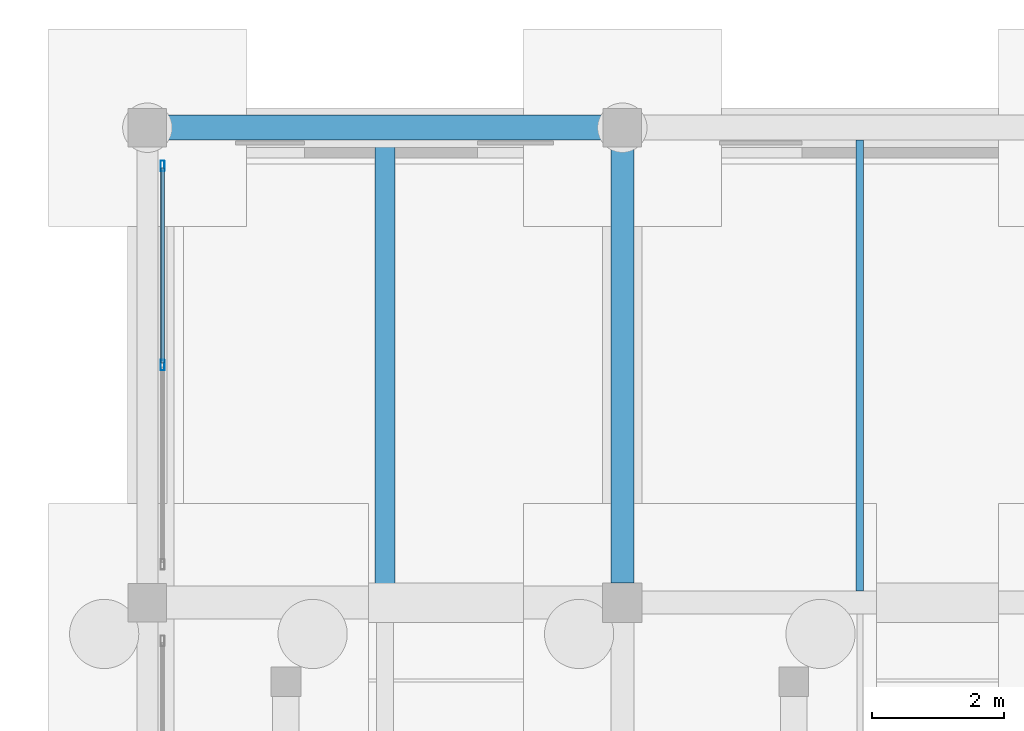
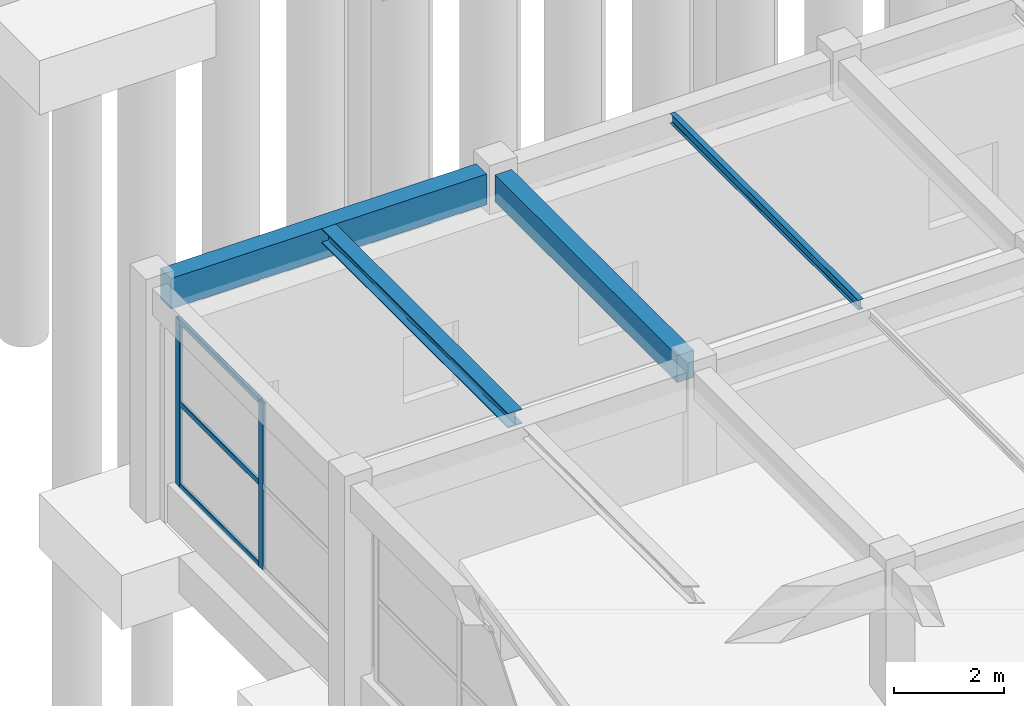
# One storey, part 54 of 91: 5 members, 4 beams, 1 element without a shape of its own.
"""IFC4 building model written with IfcOpenShell, lengths in metres."""

import ifcopenshell
import ifcopenshell.guid

model = None  # the IFC model being written
_history = None  # IfcOwnerHistory: only IFC2X3 demands one
_inside = {}  # id of a spatial element -> (the spatial element, [elements in it])
_under = {}  # id of a project, library or spatial element -> (it, [spatial elements below it])
_declared = {}  # id of a project -> (the project, [libraries it declares])
_typed = {}  # id of a type object -> (the type object, [elements of that type])
_made_of = {}  # id of a material, layer set ... -> (it, [elements and type objects made of it])


def new_model(schema):
    """Start an empty IFC model of exactly this schema.

    Asked for "IFC4X3", IfcOpenShell would pick the latest addendum, in which some entities
    have other attributes; the version numbers below select the first issue.
    IFC2X3 requires an IfcOwnerHistory on every rooted entity: one is made here for all.
    """
    global model, _history
    if schema == "IFC4X3":
        model = ifcopenshell.file(schema_version=(4, 3, 0, 0))
    else:
        model = ifcopenshell.file(schema=schema)
    _inside.clear()
    _under.clear()
    _declared.clear()
    _typed.clear()
    _made_of.clear()
    _history = None
    if model.schema == "IFC2X3":
        org = make("IfcOrganization", Name="unknown")
        user = make(
            "IfcPersonAndOrganization",
            ThePerson=make("IfcPerson", FamilyName="unknown"),
            TheOrganization=org,
        )
        app = make(
            "IfcApplication",
            ApplicationDeveloper=org,
            Version="unknown",
            ApplicationFullName="unknown",
            ApplicationIdentifier="unknown",
        )
        _history = make(
            "IfcOwnerHistory",
            OwningUser=user,
            OwningApplication=app,
            ChangeAction="ADDED",
            CreationDate=0,
        )
    return model


def make(cls, **values):
    """One entity of the class cls with the attributes given. An attribute that is None is left unset."""
    return model.create_entity(
        cls, **{name: value for name, value in values.items() if value is not None}
    )


def rooted(cls, **values):
    """An entity with a GlobalId (a new one), such as an element, a storey or a relation."""
    return make(cls, GlobalId=ifcopenshell.guid.new(), OwnerHistory=_history, **values)


def si_unit(unit_type, name, prefix=None):
    """IfcSIUnit, for example si_unit("LENGTHUNIT", "METRE", prefix="MILLI")."""
    return make("IfcSIUnit", UnitType=unit_type, Prefix=prefix, Name=name)


def assignment(units):
    """IfcUnitAssignment: the units of a project."""
    return None if units is None else make("IfcUnitAssignment", Units=units)


def point(xyz):
    """IfcCartesianPoint."""
    return None if xyz is None else make("IfcCartesianPoint", Coordinates=xyz)


def direction(xyz):
    """IfcDirection."""
    return None if xyz is None else make("IfcDirection", DirectionRatios=xyz)


def frame(location, z_axis=None, x_axis=None):
    """IfcAxis2Placement3D, a coordinate frame: its origin and axes. An axis left out is left unset."""
    return make(
        "IfcAxis2Placement3D",
        Location=point(location),
        Axis=direction(z_axis),
        RefDirection=direction(x_axis),
    )


def frame_2d(location, x_axis=None):
    """IfcAxis2Placement2D, a coordinate frame in the plane: its origin and x axis."""
    return make(
        "IfcAxis2Placement2D", Location=point(location), RefDirection=direction(x_axis)
    )


def origin():
    """The frame at (0, 0, 0) with its axes left unset."""
    return frame((0.0, 0.0, 0.0))


def origin_2d():
    """The frame at (0, 0) in the plane with its x axis left unset."""
    return frame_2d((0.0, 0.0))


def place(relative_to, where):
    """IfcLocalPlacement: puts the frame where relative to a parent placement (None: the world)."""
    return make(
        "IfcLocalPlacement", PlacementRelTo=relative_to, RelativePlacement=where
    )


def context(
    kind, dimensions, precision=None, world=None, true_north=None, identifier=None
):
    """IfcGeometricRepresentationContext, for example the 3D "Model" context."""
    return make(
        "IfcGeometricRepresentationContext",
        ContextIdentifier=identifier,
        ContextType=kind,
        CoordinateSpaceDimension=dimensions,
        Precision=precision,
        WorldCoordinateSystem=world,
        TrueNorth=true_north,
    )


def subcontext(parent, identifier, kind, view, scale=None):
    """IfcGeometricRepresentationSubContext, for example "Body" below "Model"."""
    return make(
        "IfcGeometricRepresentationSubContext",
        ContextIdentifier=identifier,
        ContextType=kind,
        ParentContext=parent,
        TargetScale=scale,
        TargetView=view,
    )


def project(units=None, contexts=None):
    """IfcProject with its units and contexts."""
    return rooted(
        "IfcProject",
        Name="project",
        RepresentationContexts=contexts,
        UnitsInContext=assignment(units),
    )


def spatial(cls, under=None, at=None, **own):
    """A site, building, storey or space (cls), placed at a placement, below another one or the project."""
    s = rooted(cls, ObjectPlacement=at, **own)
    if under is not None:
        _under.setdefault(under.id(), (under, []))[1].append(s)
    return s


def profile(cls, at=None, kind="AREA", **sizes):
    """A parametric profile (cls). Its sizes go by their IFC names, for example OverallWidth=200.0."""
    return make(cls, ProfileType=kind, Position=at, **sizes)


def rectangle(**sizes):
    """IfcRectangleProfileDef."""
    return profile("IfcRectangleProfileDef", **sizes)


def hollow_rectangle(**sizes):
    """IfcRectangleHollowProfileDef."""
    return profile("IfcRectangleHollowProfileDef", **sizes)


def i_section(**sizes):
    """IfcIShapeProfileDef."""
    return profile("IfcIShapeProfileDef", **sizes)


def extrude(swept, where, along, depth):
    """IfcExtrudedAreaSolid: the profile swept, set in the frame where, extruded along a direction by depth."""
    return make(
        "IfcExtrudedAreaSolid",
        SweptArea=swept,
        Position=where,
        ExtrudedDirection=direction(along),
        Depth=depth,
    )


def shape(context_of_items, identifier, shape_type, items):
    """IfcShapeRepresentation: the items that make up one representation, for example the "Body"."""
    return make(
        "IfcShapeRepresentation",
        ContextOfItems=context_of_items,
        RepresentationIdentifier=identifier,
        RepresentationType=shape_type,
        Items=items,
    )


def material(Name=None, Category=None):
    """IfcMaterial."""
    return make("IfcMaterial", Name=Name, Category=Category)


def material_profile(
    of_material, cross_section, Name=None, Category=None, Priority=None
):
    """IfcMaterialProfile: a cross section and its material."""
    return make(
        "IfcMaterialProfile",
        Name=Name,
        Material=of_material,
        Profile=cross_section,
        Priority=Priority,
        Category=Category,
    )


def profile_set(profiles, Name=None, composite=None):
    """IfcMaterialProfileSet."""
    return make(
        "IfcMaterialProfileSet",
        Name=Name,
        MaterialProfiles=profiles,
        CompositeProfile=composite,
    )


def made_of(thing, what):
    """Note that an element or type object is made of a material, layer set ...; save() writes the relation."""
    if what is not None:
        _made_of.setdefault(what.id(), (what, []))[1].append(thing)
    return thing


def type_object(cls, material=None, **own):
    """A type object (cls), such as IfcWallType, which elements share."""
    return made_of(rooted(cls, **own), material)


def element(
    cls,
    number,
    at=None,
    inside=None,
    cuts=None,
    type_object=None,
    material=None,
    context=None,
    identifier="Body",
    shape_type=None,
    held_by="IfcProductDefinitionShape",
    body=None,
    shapes=None,
    **own,
):
    """One element of the class cls, such as IfcWall. Its Tag is "e" and its number.

    at: its placement. inside: the storey or other place that contains it. cuts: it is an
    opening in that element (IfcRelVoidsElement). A single representation is given by context,
    identifier, shape_type and body (its items); several are given by shapes. held_by: the class
    of the entity that holds the representations. save() writes the other relations.
    """
    e = rooted(cls, Tag="e%d" % number, ObjectPlacement=at, **own)
    if body is not None:
        shapes = [shape(context, identifier, shape_type, body)]
    if shapes is not None:
        e.Representation = make(held_by, Representations=shapes)
    if inside is not None:
        _inside.setdefault(inside.id(), (inside, []))[1].append(e)
    if cuts is not None:
        rooted(
            "IfcRelVoidsElement", RelatingBuildingElement=cuts, RelatedOpeningElement=e
        )
    if type_object is not None:
        _typed.setdefault(type_object.id(), (type_object, []))[1].append(e)
    return made_of(e, material)


def aggregate(whole, parts):
    """IfcRelAggregates: a whole, such as a stair, and the parts it consists of."""
    return rooted("IfcRelAggregates", RelatingObject=whole, RelatedObjects=parts)


def save(model, path):
    """Write the relations noted so far, then the file.

    IfcRelAggregates (storeys below a building ...), IfcRelContainedInSpatialStructure (elements
    in a storey), IfcRelDefinesByType, IfcRelAssociatesMaterial and IfcRelDeclares: one each for
    every whole, place, type object, material and project.
    """
    for whole, parts in _under.values():
        aggregate(whole, parts)
    for where, things in _inside.values():
        rooted(
            "IfcRelContainedInSpatialStructure",
            RelatedElements=things,
            RelatingStructure=where,
        )
    for kind, things in _typed.values():
        rooted("IfcRelDefinesByType", RelatedObjects=things, RelatingType=kind)
    for what, things in _made_of.values():
        rooted("IfcRelAssociatesMaterial", RelatedObjects=things, RelatingMaterial=what)
    for by, libraries in _declared.values():
        rooted("IfcRelDeclares", RelatingContext=by, RelatedDefinitions=libraries)
    model.write(path)


model = new_model("IFC4")

# Units and contexts
model_context = context("Model", 3, precision=1e-05, world=origin(), true_north=direction((0.0, 1.0)))
body_context = subcontext(model_context, "Body", "Model", "MODEL_VIEW")
ifc_project = project(units=[si_unit("LENGTHUNIT", "METRE"), si_unit("AREAUNIT", "SQUARE_METRE"), si_unit("VOLUMEUNIT", "CUBIC_METRE"), si_unit("PLANEANGLEUNIT", "RADIAN"), si_unit("MASSUNIT", "GRAM", prefix="KILO")], contexts=[model_context])

# Site, building, storey
site_placement = place(None, origin())
site = spatial("IfcSite", under=ifc_project, at=site_placement, CompositionType="ELEMENT")
building_placement = place(site_placement, origin())
building = spatial("IfcBuilding", under=site, at=building_placement, Name="Bramveld Media Centre", CompositionType="ELEMENT")
storey_placement = place(building_placement, origin())
storey = spatial("IfcBuildingStorey", under=building, at=storey_placement, Name="L00", CompositionType="ELEMENT", Elevation=0.0)

# Beam
ifc_material_1 = material(Name="Concrete C40/50", Category="concrete")
ifc_material_profile_1 = material_profile(ifc_material_1, rectangle(XDim=0.35009765625, YDim=0.60009765625, at=origin_2d()), Name="RC 350x600")
ifc_profile_set_1 = profile_set([ifc_material_profile_1], Name="Concrete C40/50")
beam_type_1 = type_object("IfcBeamType", Name="BM-INT-RC-350x600", PredefinedType="BEAM", material=ifc_profile_set_1)
beam_1_placement = place(storey_placement, frame((138.39990234375, 61.10009765625, 4.860107421875), z_axis=(0.0, 1.0, 0.0), x_axis=(-1.0, 0.0, 0.0)))
element("IfcBeam", 1, at=beam_1_placement, inside=storey, type_object=beam_type_1, Name="V4 L00 girder Y-483", PredefinedType="BEAM", context=body_context, shape_type="SweptSolid", body=[
    extrude(rectangle(XDim=0.35009765625, YDim=0.60009765625, at=origin_2d()), origin(), (0.0, 0.0, 1.0), 6.60986328125),
])

# Curtain wall, members
ifc_material_2 = material(Name="Thermally broken anodized bronze aluminium unitized curtain wall with solar-control triple glazing", Category="aluminium")
curtain_wall_type = type_object("IfcCurtainWallType", Name="CW-FACV4-6100x3690", PredefinedType="NOTDEFINED", material=ifc_material_2)
curtain_wall_placement = place(storey_placement, origin())
curtain_wall = element("IfcCurtainWall", 2, at=curtain_wall_placement, inside=storey, type_object=curtain_wall_type, Name="V4 L00 W curtain wall bay 4", PredefinedType="NOTDEFINED")
ifc_material_3 = material(Name="Thermally broken anodized bronze aluminium EN AW-6063 T6 curtain-wall framing", Category="aluminium")
ifc_material_profile_2 = material_profile(ifc_material_3, hollow_rectangle(XDim=0.06005859375, YDim=0.159912109375, WallThickness=0.00390625, InnerFilletRadius=0.00390625, OuterFilletRadius=0.008056640625, at=origin_2d()), Name="AL-MULL 60x160")
ifc_profile_set_2 = profile_set([ifc_material_profile_2], Name="Thermally broken anodized bronze aluminium EN AW-6063 T6 curtain-wall framing")
member_type_1 = type_object("IfcMemberType", Name="CW-MULL-EXT", PredefinedType="MULLION", material=ifc_profile_set_2)
member_1_placement = place(storey_placement, frame((131.429931640625, 64.39990234375, 0.85009765625), z_axis=(0.0, 0.0, 1.0), x_axis=(-1.0, 0.0, 0.0)))
member_1 = element("IfcMember", 3, at=member_1_placement, type_object=member_type_1, Name="CW-FA-6136 mullion 2", PredefinedType="MULLION", context=body_context, shape_type="SweptSolid", body=[
    extrude(hollow_rectangle(XDim=0.06005859375, YDim=0.159912109375, WallThickness=0.00390625, InnerFilletRadius=0.00390625, OuterFilletRadius=0.008056640625, at=origin_2d()), origin(), (0.0, 0.0, 1.0), 3.68994140625),
])
member_2_placement = place(storey_placement, frame((131.429931640625, 67.419921875, 0.85009765625), z_axis=(0.0, 0.0, 1.0), x_axis=(-1.0, 0.0, 0.0)))
member_2 = element("IfcMember", 4, at=member_2_placement, type_object=member_type_1, Name="CW-FA-6136 mullion 3", PredefinedType="MULLION", context=body_context, shape_type="SweptSolid", body=[
    extrude(hollow_rectangle(XDim=0.06005859375, YDim=0.159912109375, WallThickness=0.00390625, InnerFilletRadius=0.00390625, OuterFilletRadius=0.008056640625, at=origin_2d()), origin(), (0.0, 0.0, 1.0), 3.68994140625),
])
ifc_material_4 = material(Name="Thermally broken anodized bronze aluminium EN AW-6063 T6 curtain-wall framing", Category="aluminium")
ifc_material_profile_3 = material_profile(ifc_material_4, hollow_rectangle(XDim=0.06005859375, YDim=0.1201171875, WallThickness=0.00341796875, InnerFilletRadius=0.00341796875, OuterFilletRadius=0.007080078125, at=origin_2d()), Name="AL-TRAN 60x120")
ifc_profile_set_3 = profile_set([ifc_material_profile_3], Name="Thermally broken anodized bronze aluminium EN AW-6063 T6 curtain-wall framing")
member_type_2 = type_object("IfcMemberType", Name="CW-TRAN-EXT", PredefinedType="USERDEFINED", material=ifc_profile_set_3)
member_3_placement = place(storey_placement, frame((131.429931640625, 64.429931640625, 0.8798828125), z_axis=(0.0, 1.0, 0.0), x_axis=(-1.0, 0.0, 0.0)))
member_3 = element("IfcMember", 5, at=member_3_placement, type_object=member_type_2, Name="CW-FA-6136 transom 2.1", ObjectType="TRANSOM", PredefinedType="USERDEFINED", context=body_context, shape_type="SweptSolid", body=[
    extrude(hollow_rectangle(XDim=0.06005859375, YDim=0.1201171875, WallThickness=0.00341796875, InnerFilletRadius=0.00341796875, OuterFilletRadius=0.007080078125, at=origin_2d()), origin(), (0.0, 0.0, 1.0), 2.9599609375),
])
member_4_placement = place(storey_placement, frame((131.429931640625, 64.429931640625, 2.695068359375), z_axis=(0.0, 1.0, 0.0), x_axis=(-1.0, 0.0, 0.0)))
member_4 = element("IfcMember", 6, at=member_4_placement, type_object=member_type_2, Name="CW-FA-6136 transom 2.2", ObjectType="TRANSOM", PredefinedType="USERDEFINED", context=body_context, shape_type="SweptSolid", body=[
    extrude(hollow_rectangle(XDim=0.06005859375, YDim=0.1201171875, WallThickness=0.00341796875, InnerFilletRadius=0.00341796875, OuterFilletRadius=0.007080078125, at=origin_2d()), origin(), (0.0, 0.0, 1.0), 2.9599609375),
])
member_5_placement = place(storey_placement, frame((131.429931640625, 64.429931640625, 4.510009765625), z_axis=(0.0, 1.0, 0.0), x_axis=(-1.0, 0.0, 0.0)))
member_5 = element("IfcMember", 7, at=member_5_placement, type_object=member_type_2, Name="CW-FA-6136 transom 2.3", ObjectType="TRANSOM", PredefinedType="USERDEFINED", context=body_context, shape_type="SweptSolid", body=[
    extrude(hollow_rectangle(XDim=0.06005859375, YDim=0.1201171875, WallThickness=0.00341796875, InnerFilletRadius=0.00341796875, OuterFilletRadius=0.007080078125, at=origin_2d()), origin(), (0.0, 0.0, 1.0), 2.9599609375),
])
aggregate(curtain_wall, [member_1, member_2, member_3, member_4, member_5])

# Beams
ifc_material_5 = material(Name="Steel S355J2", Category="steel")
ifc_material_profile_4 = material_profile(ifc_material_5, i_section(OverallWidth=0.300048828125, OverallDepth=0.320068359375, WebThickness=0.011474609375, FlangeThickness=0.0205078125, FilletRadius=0.027099609375, at=origin_2d()), Name="HEB 320")
ifc_profile_set_4 = profile_set([ifc_material_profile_4], Name="Steel S355J2")
beam_type_2 = type_object("IfcBeamType", Name="SBM-INT-HEB-320", PredefinedType="BEAM", material=ifc_profile_set_4)
beam_2_placement = place(storey_placement, frame((134.800048828125, 61.050048828125, 5.0), z_axis=(0.0, 1.0, 0.0), x_axis=(-1.0, 0.0, 0.0)))
element("IfcBeam", 8, at=beam_2_placement, inside=storey, type_object=beam_type_2, Name="V4 L00 secondary floor joist 501", PredefinedType="BEAM", context=body_context, shape_type="SweptSolid", body=[
    extrude(i_section(OverallWidth=0.300048828125, OverallDepth=0.320068359375, WebThickness=0.011474609375, FlangeThickness=0.0205078125, FilletRadius=0.027099609375, at=origin_2d()), origin(), (0.0, 0.0, 1.0), 6.760009765625),
])
ifc_material_6 = material(Name="Steel S355J2", Category="steel")
ifc_material_profile_5 = material_profile(ifc_material_6, i_section(OverallWidth=0.110107421875, OverallDepth=0.219970703125, WebThickness=0.005859375, FlangeThickness=0.00927734375, FilletRadius=0.011962890625, at=origin_2d()), Name="IPE 220")
ifc_profile_set_5 = profile_set([ifc_material_profile_5], Name="Steel S355J2")
beam_type_3 = type_object("IfcBeamType", Name="SBM-INT-IPE-220", PredefinedType="JOIST", material=ifc_profile_set_5)
beam_3_placement = place(storey_placement, frame((142.0, 60.97509765625, 5.050048828125), z_axis=(0.0, 1.0, 0.0), x_axis=(-1.0, 0.0, 0.0)))
element("IfcBeam", 9, at=beam_3_placement, inside=storey, type_object=beam_type_3, Name="V4 L00 secondary floor joist 504", PredefinedType="JOIST", context=body_context, shape_type="SweptSolid", body=[
    extrude(i_section(OverallWidth=0.110107421875, OverallDepth=0.219970703125, WebThickness=0.005859375, FlangeThickness=0.00927734375, FilletRadius=0.011962890625, at=origin_2d()), origin(), (0.0, 0.0, 1.0), 6.8349609375),
])
ifc_material_7 = material(Name="Concrete C40/50", Category="concrete")
ifc_material_profile_6 = material_profile(ifc_material_7, rectangle(XDim=0.3798828125, YDim=0.679931640625, at=origin_2d()), Name="RC 380x680")
ifc_profile_set_6 = profile_set([ifc_material_profile_6], Name="Concrete C40/50")
beam_type_4 = type_object("IfcBeamType", Name="SPANDREL-EXT-RC-380x680", PredefinedType="SPANDREL", material=ifc_profile_set_6)
beam_4_placement = place(storey_placement, frame((131.489990234375, 68.0, 4.820068359375), z_axis=(1.0, 0.0, 0.0), x_axis=(0.0, 1.0, 0.0)))
element("IfcBeam", 10, at=beam_4_placement, inside=storey, type_object=beam_type_4, Name="V4 L00 girder X-472", PredefinedType="SPANDREL", context=body_context, shape_type="SweptSolid", body=[
    extrude(rectangle(XDim=0.3798828125, YDim=0.679931640625, at=origin_2d()), origin(), (0.0, 0.0, 1.0), 6.6201171875),
])

save(model, "model.ifc")
